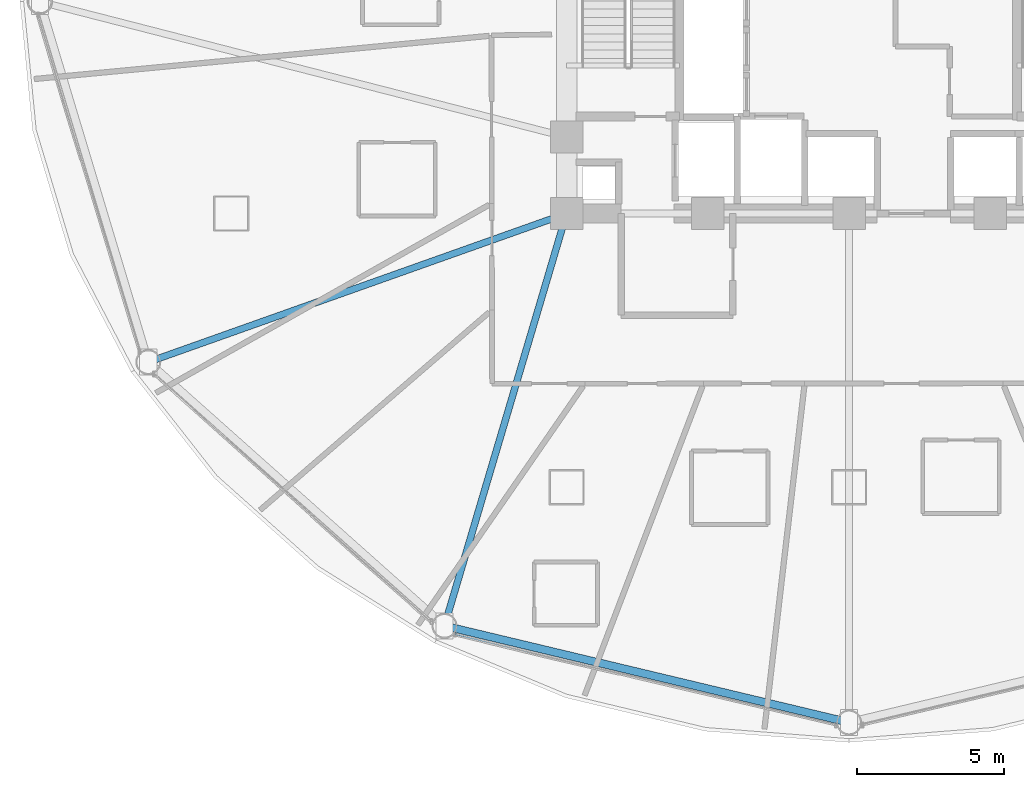
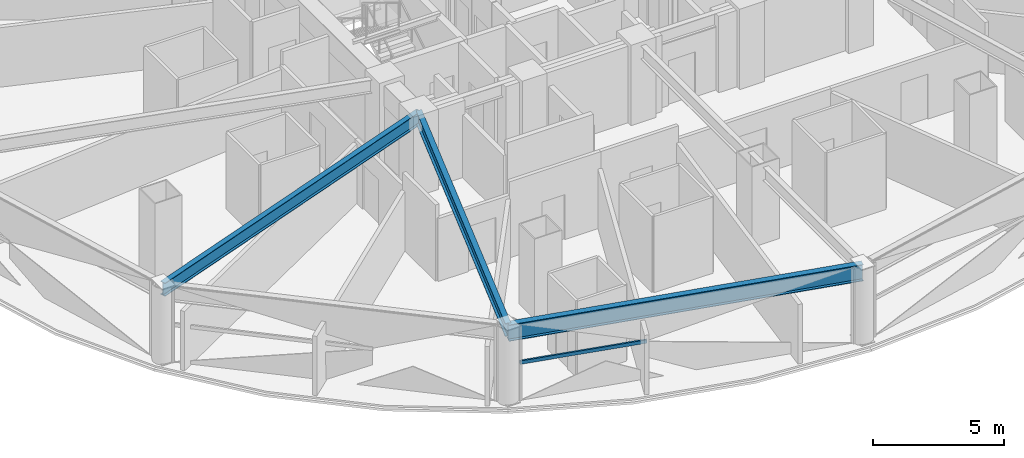
# One storey, part 3 of 30: 3 beams, 1 member, 1 element without a shape of its own.
"""IFC4 building model written with IfcOpenShell, lengths in metres."""

from ifc_helpers import new_model, si_unit, direction, frame, origin, origin_2d, place, context, subcontext, project, spatial, hollow_rectangle, i_section, extrude, material, layer, layer_set, material_profile, profile_set, type_object, element, aggregate, save


model = new_model("IFC4")

# Units and contexts
model_context = context("Model", 3, precision=1e-05, world=origin(), true_north=direction((0.0, 1.0)))
body_context = subcontext(model_context, "Body", "Model", "MODEL_VIEW")
ifc_project = project(units=[si_unit("LENGTHUNIT", "METRE"), si_unit("AREAUNIT", "SQUARE_METRE"), si_unit("VOLUMEUNIT", "CUBIC_METRE"), si_unit("PLANEANGLEUNIT", "RADIAN"), si_unit("MASSUNIT", "GRAM", prefix="KILO")], contexts=[model_context])

# Site, building, storey
site_placement = place(None, origin())
site = spatial("IfcSite", under=ifc_project, at=site_placement, CompositionType="ELEMENT")
building_placement = place(site_placement, origin())
building = spatial("IfcBuilding", under=site, at=building_placement, Name="Vantalir Tower", CompositionType="ELEMENT")
storey_placement = place(building_placement, frame((0.0, 0.0, 83.25)))
storey = spatial("IfcBuildingStorey", under=building, at=storey_placement, Name="L20", CompositionType="ELEMENT", Elevation=83.25)

# Beams
ifc_material_1 = material(Name="Steel S355", Category="steel")
ifc_material_profile_1 = material_profile(ifc_material_1, i_section(OverallWidth=0.22998046875, OverallDepth=0.616943359375, WebThickness=0.01318359375, FlangeThickness=0.022216796875, at=origin_2d()), Name="Steel S355")
ifc_profile_set_1 = profile_set([ifc_material_profile_1], Name="Steel S355")
beam_type_1 = type_object("IfcBeamType", Name="BM-RB-610x229", PredefinedType="BEAM", material=ifc_profile_set_1)
beam_1_placement = place(storey_placement, frame((7.68408203125, 12.751953125, 3.261962890625), z_axis=(0.942348909406, 0.334631936522, 0.0), x_axis=(-0.334631936522, 0.942348909406, 0.0)))
element("IfcBeam", 1, at=beam_1_placement, inside=storey, type_object=beam_type_1, Name="L20 Radial Floor Beam 08", PredefinedType="BEAM", context=body_context, shape_type="SweptSolid", body=[
    extrude(i_section(OverallWidth=0.22998046875, OverallDepth=0.616943359375, WebThickness=0.01318359375, FlangeThickness=0.022216796875, at=origin_2d()), origin(), (0.0, 0.0, 1.0), 15.08544921875),
])
beam_2_placement = place(storey_placement, frame((17.75, 3.787109375, 3.261962890625), z_axis=(0.283957507108, 0.958836865247, 0.0), x_axis=(-0.958836865247, 0.283957507108, 0.0)))
element("IfcBeam", 2, at=beam_2_placement, inside=storey, type_object=beam_type_1, Name="L20 Radial Floor Beam 09", PredefinedType="BEAM", context=body_context, shape_type="SweptSolid", body=[
    extrude(i_section(OverallWidth=0.22998046875, OverallDepth=0.616943359375, WebThickness=0.01318359375, FlangeThickness=0.022216796875, at=origin_2d()), origin(), (0.0, 0.0, 1.0), 14.614501953125),
])
ifc_material_2 = material(Name="Steel S460", Category="steel")
ifc_material_profile_2 = material_profile(ifc_material_2, i_section(OverallWidth=0.26806640625, OverallDepth=0.77001953125, WebThickness=0.015625, FlangeThickness=0.025390625, at=origin_2d()), Name="Steel S460")
ifc_profile_set_2 = profile_set([ifc_material_profile_2], Name="Steel S460")
beam_type_2 = type_object("IfcBeamType", Name="BM-RG-762x267", PredefinedType="USERDEFINED", material=ifc_profile_set_2)
beam_3_placement = place(storey_placement, frame((17.75, 3.787109375, 3.18505859375), z_axis=(0.972671890468, -0.232183964763, 0.0), x_axis=(0.232183964763, 0.972671890468, 0.0)))
element("IfcBeam", 3, at=beam_3_placement, inside=storey, type_object=beam_type_2, Name="L20 Circumferential Ring Girder 09", ObjectType="GIRDER", PredefinedType="USERDEFINED", context=body_context, shape_type="SweptSolid", body=[
    extrude(i_section(OverallWidth=0.26806640625, OverallDepth=0.77001953125, WebThickness=0.015625, FlangeThickness=0.025390625, at=origin_2d()), origin(), (0.0, 0.0, 1.0), 14.13623046875),
])

# Curtain wall, member
ifc_material_3 = material(Name="Champagne-silver PVDF aluminium and double-silver Low-E glass", Category="aluminium")
ifc_layer = layer(ifc_material_3, 0.18994140625)
ifc_layer_set = layer_set([ifc_layer], Name="Champagne-silver PVDF aluminium and double-silver Low-E glass")
curtain_wall_type = type_object("IfcCurtainWallType", Name="CW-DIAMOND-Z1", PredefinedType="USERDEFINED", material=ifc_layer_set)
curtain_wall_placement = place(storey_placement, origin())
curtain_wall = element("IfcCurtainWall", 4, at=curtain_wall_placement, inside=storey, type_object=curtain_wall_type, Name="L20 Quilted Pyramid-Diamond Curtain Wall S09", ObjectType="UNITISED CURTAIN WALL", PredefinedType="USERDEFINED")
ifc_material_4 = material(Name="Champagne-silver PVDF aluminium 6063-T6", Category="aluminium")
ifc_material_profile_3 = material_profile(ifc_material_4, hollow_rectangle(XDim=0.074951171875, YDim=0.159912109375, WallThickness=0.00390625, at=origin_2d()), Name="Champagne-silver PVDF aluminium 6063-T6")
ifc_profile_set_3 = profile_set([ifc_material_profile_3], Name="Champagne-silver PVDF aluminium 6063-T6")
member_type = type_object("IfcMemberType", Name="CWT-160x75", PredefinedType="USERDEFINED", material=ifc_profile_set_3)
member_placement = place(storey_placement, frame((18.112060546875, 3.512939453125, 1.784912109375), z_axis=(0.971534184351, -0.236899406159, 0.0), x_axis=(0.236899406159, 0.971534184351, 0.0)))
member = element("IfcMember", 5, at=member_placement, type_object=member_type, Name="CW-L20-S09 Pyramid Fold Ridge Transom", ObjectType="TRANSOM", PredefinedType="USERDEFINED", context=body_context, shape_type="SweptSolid", body=[
    extrude(hollow_rectangle(XDim=0.074951171875, YDim=0.159912109375, WallThickness=0.00390625, at=origin_2d()), origin(), (0.0, 0.0, 1.0), 5.048828125),
])
aggregate(curtain_wall, [member])

save(model, "model.ifc")
